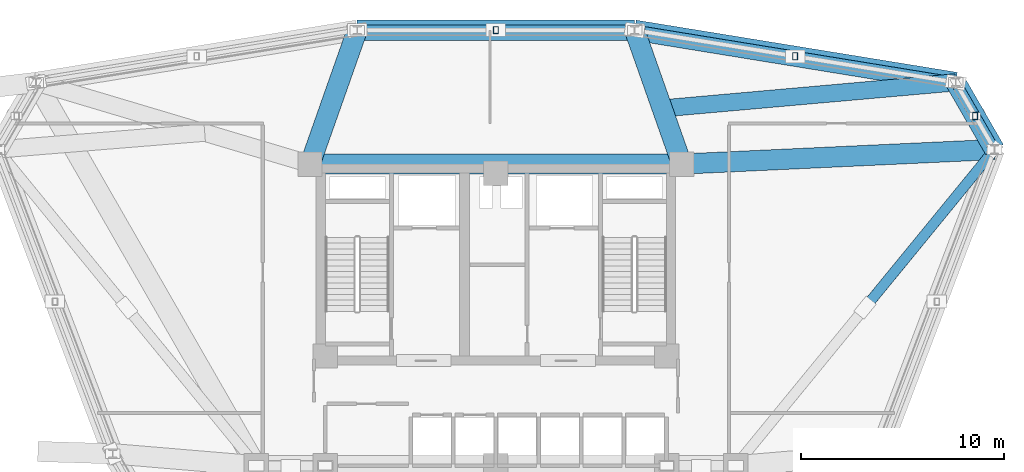
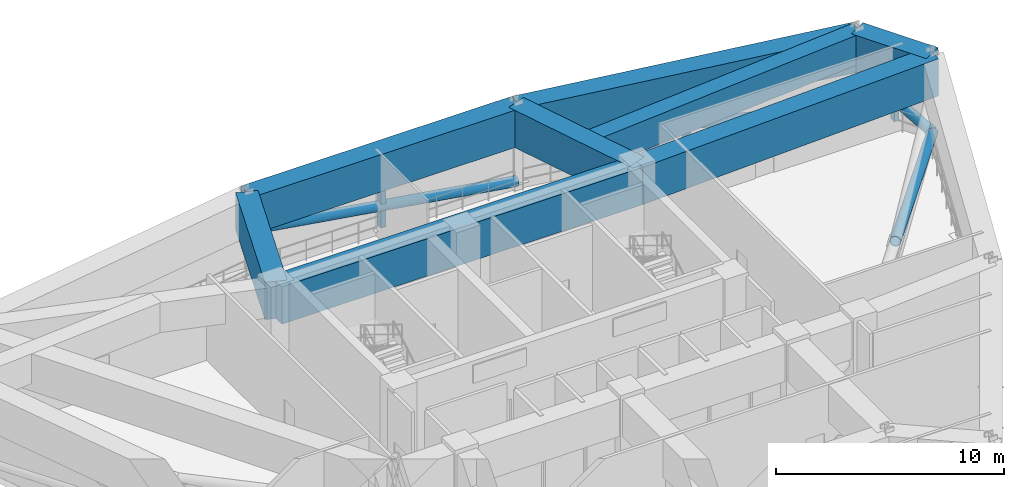
# One storey, part 6 of 13: 8 beams, 7 members.
"""IFC4 building model written with IfcOpenShell, lengths in metres."""

from ifc_helpers import new_model, si_unit, derived_unit, direction, frame, origin, origin_2d, place, context, subcontext, project, spatial, rectangle, hollow_rectangle, hollow_circle, extrude, source, transform, mapped, material, material_profile, profile_set, type_object, element, save


model = new_model("IFC4")

# Units and contexts
model_context = context("Model", 3, precision=1e-05, world=origin(), true_north=direction((0.0, 1.0)))
body_context = subcontext(model_context, "Body", "Model", "MODEL_VIEW")
ifc_project = project(units=[si_unit("LENGTHUNIT", "METRE"), si_unit("AREAUNIT", "SQUARE_METRE"), si_unit("VOLUMEUNIT", "CUBIC_METRE"), si_unit("PLANEANGLEUNIT", "RADIAN"), si_unit("MASSUNIT", "GRAM", prefix="KILO"), derived_unit("THERMALTRANSMITTANCEUNIT", [(si_unit("POWERUNIT", "WATT"), 1), (si_unit("LENGTHUNIT", "METRE"), -2), (si_unit("THERMODYNAMICTEMPERATUREUNIT", "KELVIN"), -1)])], contexts=[model_context])

# Site, building, storey
site_placement = place(None, origin())
site = spatial("IfcSite", under=ifc_project, at=site_placement, CompositionType="ELEMENT")
building_placement = place(site_placement, origin())
building = spatial("IfcBuilding", under=site, at=building_placement, Name="Korsvarv Bourse and Concert Hall", CompositionType="ELEMENT")
storey_placement = place(building_placement, frame((0.0, 0.0, 131.39990234375)))
storey = spatial("IfcBuildingStorey", under=building, at=storey_placement, Name="L33", CompositionType="ELEMENT", Elevation=131.39990234375)

# Beams
ifc_material_1 = material(Name="Concrete C60/75", Category="concrete")
ifc_material_profile_1 = material_profile(ifc_material_1, rectangle(XDim=1.0, YDim=2.0, at=origin_2d()), Name="RC-BM 1000x2000")
ifc_profile_set_1 = profile_set([ifc_material_profile_1], Name="Concrete C60/75")
beam_type_1 = type_object("IfcBeamType", Name="BM-TR1", PredefinedType="BEAM", material=ifc_profile_set_1)
shared_shape_1 = source(origin(), body_context, "Body", "SweptSolid", [
    extrude(rectangle(XDim=1.0, YDim=2.0, at=origin_2d()), origin(), (0.0, 0.0, 1.0), 18.2998046875),
])
beam_1_placement = place(storey_placement, frame((26.85009765625, 47.25, 3.570068359375), z_axis=(1.0, 0.0, 0.0), x_axis=(0.0, 1.0, 0.0)))
element("IfcBeam", 1, at=beam_1_placement, inside=storey, type_object=beam_type_1, Name="L33 beam B-TR1", PredefinedType="BEAM", context=body_context, shape_type="MappedRepresentation", body=[
    mapped(shared_shape_1, transform((0.0, 0.0, 0.0), scale=1.0)),
])
shared_shape_2 = source(origin(), body_context, "Body", "SweptSolid", [
    extrude(rectangle(XDim=1.0, YDim=2.0, at=origin_2d()), origin(), (0.0, 0.0, 1.0), 3.81591796875),
])
beam_2_placement = place(storey_placement, frame((60.541748046875, 47.966064453125, 3.570068359375), z_axis=(-0.499999364504, 0.866025770688, 0.0), x_axis=(-0.866025770688, -0.499999364504, 0.0)))
element("IfcBeam", 2, at=beam_2_placement, inside=storey, type_object=beam_type_1, Name="L33 beam B-TR1", PredefinedType="BEAM", context=body_context, shape_type="MappedRepresentation", body=[
    mapped(shared_shape_2, transform((0.0, 0.0, 0.0), scale=1.0)),
])
shared_shape_3 = source(origin(), body_context, "Body", "SweptSolid", [
    extrude(rectangle(XDim=1.0, YDim=2.0, at=origin_2d()), origin(), (0.0, 0.0, 1.0), 16.014892578125),
])
beam_3_placement = place(storey_placement, frame((58.6337890625, 51.270751953125, 3.570068359375), z_axis=(-0.98703396265, 0.160511546547, 0.0), x_axis=(-0.160511546547, -0.98703396265, 0.0)))
element("IfcBeam", 3, at=beam_3_placement, inside=storey, type_object=beam_type_1, Name="L33 beam B-TR1", PredefinedType="BEAM", context=body_context, shape_type="MappedRepresentation", body=[
    mapped(shared_shape_3, transform((0.0, 0.0, 0.0), scale=1.0)),
])
shared_shape_4 = source(origin(), body_context, "Body", "SweptSolid", [
    extrude(rectangle(XDim=1.0, YDim=2.0, at=origin_2d()), origin(), (0.0, 0.0, 1.0), 13.6533203125),
])
beam_4_placement = place(storey_placement, frame((42.82666015625, 53.84130859375, 3.570068359375), z_axis=(-1.0, 0.0, 0.0), x_axis=(0.0, -1.0, 0.0)))
element("IfcBeam", 4, at=beam_4_placement, inside=storey, type_object=beam_type_1, Name="L33 beam B-TR1", PredefinedType="BEAM", context=body_context, shape_type="MappedRepresentation", body=[
    mapped(shared_shape_4, transform((0.0, 0.0, 0.0), scale=1.0)),
])
shared_shape_5 = source(origin(), body_context, "Body", "SweptSolid", [
    extrude(rectangle(XDim=1.0, YDim=2.0, at=origin_2d()), origin(), (0.0, 0.0, 1.0), 15.408447265625),
])
beam_5_placement = place(storey_placement, frame((60.541748046875, 47.966064453125, 3.570068359375), z_axis=(-0.998919590077, -0.046472062141, 0.0), x_axis=(0.046472062141, -0.998919590077, 0.0)))
element("IfcBeam", 5, at=beam_5_placement, inside=storey, type_object=beam_type_1, Name="L33 beam B-TR1", PredefinedType="BEAM", context=body_context, shape_type="MappedRepresentation", body=[
    mapped(shared_shape_5, transform((0.0, 0.0, 0.0), scale=1.0)),
])
shared_shape_6 = source(origin(), body_context, "Body", "SweptSolid", [
    extrude(rectangle(XDim=1.0, YDim=2.0, at=origin_2d()), origin(), (0.0, 0.0, 1.0), 6.98876953125),
])
for number, where, z_axis, x_axis, name in (
    (6, (42.82666015625, 53.84130859375, 3.570068359375), (0.332425395901, -0.943129554282, 0.0), (0.943129554282, 0.332425395901, 0.0), "L33 beam B-TR1"),
    (7, (29.17333984375, 53.84130859375, 3.570068359375), (-0.332425395901, -0.943129554282, 0.0), (0.943129554282, -0.332425395901, 0.0), "L33 beam B-TR1"),
):
    element("IfcBeam", number, at=place(storey_placement, frame(where, z_axis=z_axis, x_axis=x_axis)), inside=storey, type_object=beam_type_1, Name=name, PredefinedType="BEAM", context=body_context, shape_type="MappedRepresentation", body=[
        mapped(shared_shape_6, transform((0.0, 0.0, 0.0), scale=1.0)),
    ])
ifc_material_2 = material(Name="Concrete C55/67", Category="concrete")
ifc_material_profile_2 = material_profile(ifc_material_2, rectangle(XDim=0.85009765625, YDim=1.60009765625, at=origin_2d()), Name="RC-BM 850x1600")
ifc_profile_set_2 = profile_set([ifc_material_profile_2], Name="Concrete C55/67")
beam_type_2 = type_object("IfcBeamType", Name="BM-TR1B", PredefinedType="BEAM", material=ifc_profile_set_2)
shared_shape_7 = source(origin(), body_context, "Body", "SweptSolid", [
    extrude(rectangle(XDim=0.85009765625, YDim=1.60009765625, at=origin_2d()), origin(), (0.0, 0.0, 1.0), 14.505859375),
])
beam_6_placement = place(storey_placement, frame((58.6337890625, 51.270751953125, 3.77001953125), z_axis=(-0.996088654862, -0.088359445763, 0.0), x_axis=(0.088359445763, -0.996088654862, 0.0)))
element("IfcBeam", 8, at=beam_6_placement, inside=storey, type_object=beam_type_2, Name="L33 beam B-TR2", PredefinedType="BEAM", context=body_context, shape_type="MappedRepresentation", body=[
    mapped(shared_shape_7, transform((0.0, 0.0, 0.0), scale=1.0)),
])

# Members
ifc_material_3 = material(Name="Steel S460", Category="steel")
ifc_material_profile_3 = material_profile(ifc_material_3, hollow_circle(Radius=0.25390625, WallThickness=0.02001953125, at=origin_2d()), Name="CHS 508x20")
ifc_profile_set_3 = profile_set([ifc_material_profile_3], Name="Steel S460")
member_type_1 = type_object("IfcMemberType", Name="MEM-CHS508", PredefinedType="BRACE", material=ifc_profile_set_3)
shared_shape_8 = source(origin(), body_context, "Body", "SweptSolid", [
    extrude(hollow_circle(Radius=0.25390625, WallThickness=0.02001953125, at=origin_2d()), origin(), (0.0, 0.0, 1.0), 10.1162109375),
])
member_1_placement = place(storey_placement, frame((60.541748046875, 47.966064453125, 0.35009765625), z_axis=(-0.629761488956, -0.769349166753, 0.107248900438), x_axis=(0.773812359408, -0.633414897542, 0.0)))
element("IfcMember", 9, at=member_1_placement, inside=storey, type_object=member_type_1, Name="L33 Outrigger Truss E2 Split Diagonal 2A", PredefinedType="BRACE", context=body_context, shape_type="MappedRepresentation", body=[
    mapped(shared_shape_8, transform((0.0, 0.0, 0.0), scale=1.0)),
])
shared_shape_9 = source(origin(), body_context, "Body", "SweptSolid", [
    extrude(hollow_circle(Radius=0.25390625, WallThickness=0.02001953125, at=origin_2d()), origin(), (0.0, 0.0, 1.0), 4.3896484375),
])
member_2_placement = place(storey_placement, frame((60.541748046875, 47.966064453125, 0.35009765625), z_axis=(-0.434640424692, 0.752820574361, 0.494316582811), x_axis=(-0.866025770688, -0.499999364504, 0.0)))
element("IfcMember", 10, at=member_2_placement, inside=storey, type_object=member_type_1, Name="L33 Perimeter Belt Truss Diagonal 1", PredefinedType="BRACE", context=body_context, shape_type="MappedRepresentation", body=[
    mapped(shared_shape_9, transform((0.0, 0.0, 0.0), scale=1.0)),
])
ifc_material_4 = material(Name="Steel S355", Category="steel")
ifc_material_profile_4 = material_profile(ifc_material_4, hollow_rectangle(XDim=0.25, YDim=0.35009765625, WallThickness=0.012451171875, at=origin_2d()), Name="RHS 350x250x12.5")
ifc_profile_set_4 = profile_set([ifc_material_profile_4], Name="Steel S355")
member_type_2 = type_object("IfcMemberType", Name="MEM-RHS350", PredefinedType="STRUT", material=ifc_profile_set_4)
shared_shape_10 = source(origin(), body_context, "Body", "SweptSolid", [
    extrude(hollow_rectangle(XDim=0.25, YDim=0.35009765625, WallThickness=0.012451171875, at=origin_2d()), origin(), (0.0, 0.0, 1.0), 2.169921875),
])
for number, where, z_axis, x_axis, name in (
    (11, (59.587890625, 49.618408203125, 0.35009765625), (0.0, 0.0, 1.0), (1.0, 0.0, 0.0), "L33 Perimeter Belt Truss Strut 1"),
    (12, (50.730224609375, 52.555908203125, 0.35009765625), (0.0, 0.0, 1.0), (1.0, 0.0, 0.0), "L33 Perimeter Belt Truss Strut 2"),
    (13, (36.0, 53.84130859375, 0.35009765625), (0.0, 0.0, 1.0), (1.0, 0.0, 0.0), "L33 Perimeter Belt Truss Strut 3"),
):
    element("IfcMember", number, at=place(storey_placement, frame(where, z_axis=z_axis, x_axis=x_axis)), inside=storey, type_object=member_type_2, Name=name, PredefinedType="STRUT", context=body_context, shape_type="MappedRepresentation", body=[
        mapped(shared_shape_10, transform((0.0, 0.0, 0.0), scale=1.0)),
    ])
shared_shape_11 = source(origin(), body_context, "Body", "SweptSolid", [
    extrude(hollow_circle(Radius=0.25390625, WallThickness=0.02001953125, at=origin_2d()), origin(), (0.0, 0.0, 1.0), 16.1611328125),
])
member_3_placement = place(storey_placement, frame((58.6337890625, 51.270751953125, 0.35009765625), z_axis=(-0.978096415127, 0.159058121812, 0.134268077374), x_axis=(-0.160511546547, -0.98703396265, 0.0)))
element("IfcMember", 14, at=member_3_placement, inside=storey, type_object=member_type_1, Name="L33 Perimeter Belt Truss Diagonal 2", PredefinedType="BRACE", context=body_context, shape_type="MappedRepresentation", body=[
    mapped(shared_shape_11, transform((0.0, 0.0, 0.0), scale=1.0)),
])
shared_shape_12 = source(origin(), body_context, "Body", "SweptSolid", [
    extrude(hollow_circle(Radius=0.25390625, WallThickness=0.02001953125, at=origin_2d()), origin(), (0.0, 0.0, 1.0), 13.82470703125),
])
member_4_placement = place(storey_placement, frame((42.82666015625, 53.84130859375, 0.35009765625), z_axis=(-0.98760495557, 0.0, 0.156960032278), x_axis=(0.0, -1.0, 0.0)))
element("IfcMember", 15, at=member_4_placement, inside=storey, type_object=member_type_1, Name="L33 Perimeter Belt Truss Diagonal 3", PredefinedType="BRACE", context=body_context, shape_type="MappedRepresentation", body=[
    mapped(shared_shape_12, transform((0.0, 0.0, 0.0), scale=1.0)),
])

save(model, "model.ifc")
